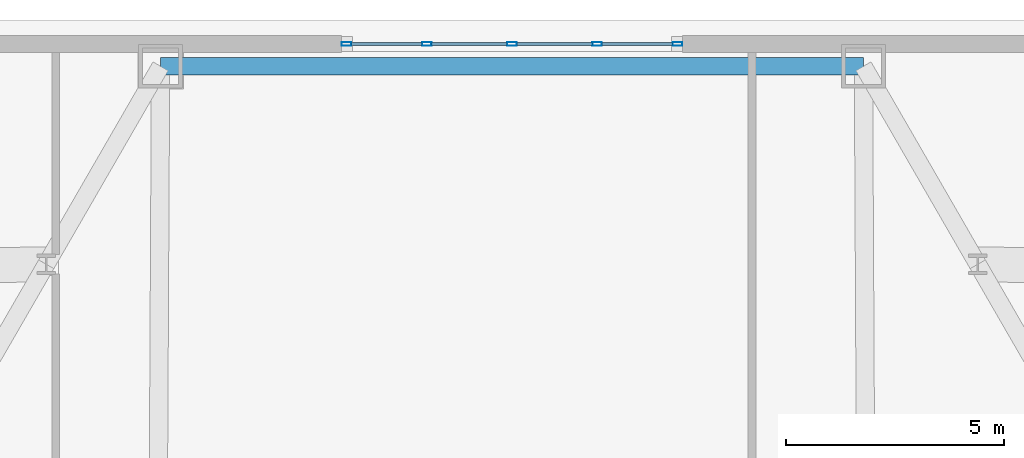
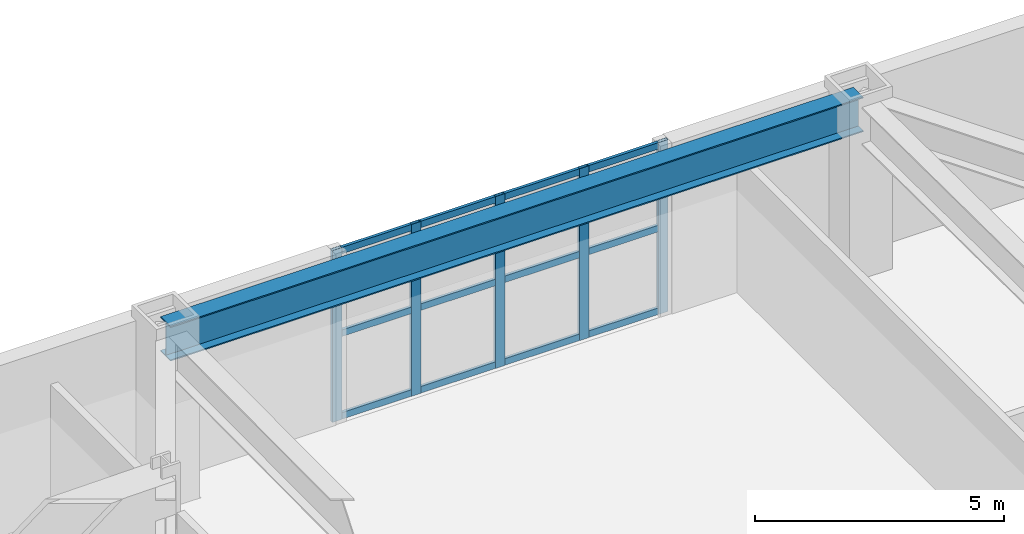
# One storey, part 10 of 21: 17 members, 1 beam, 1 element without a shape of its own.
"""IFC4 building model written with IfcOpenShell, lengths in metres."""

from ifc_helpers import new_model, si_unit, direction, frame, origin, origin_2d, place, context, subcontext, project, spatial, hollow_rectangle, i_section, extrude, material, layer, layer_set, material_profile, profile_set, type_object, element, aggregate, save


model = new_model("IFC4")

# Units and contexts
model_context = context("Model", 3, precision=1e-05, world=origin(), true_north=direction((0.0, 1.0)))
body_context = subcontext(model_context, "Body", "Model", "MODEL_VIEW")
ifc_project = project(units=[si_unit("LENGTHUNIT", "METRE"), si_unit("AREAUNIT", "SQUARE_METRE"), si_unit("VOLUMEUNIT", "CUBIC_METRE"), si_unit("PLANEANGLEUNIT", "RADIAN"), si_unit("MASSUNIT", "GRAM", prefix="KILO")], contexts=[model_context])

# Site, building, storey
site_placement = place(None, origin())
site = spatial("IfcSite", under=ifc_project, at=site_placement, CompositionType="ELEMENT")
building_placement = place(site_placement, origin())
building = spatial("IfcBuilding", under=site, at=building_placement, Name="Oramaril Tower", CompositionType="ELEMENT")
storey_placement = place(building_placement, frame((0.0, 0.0, 5.39990234375)))
storey = spatial("IfcBuildingStorey", under=building, at=storey_placement, Name="L01", CompositionType="ELEMENT", Elevation=5.39990234375)

# Beam
ifc_material_1 = material(Name="Steel ASTM A572 Gr 50", Category="steel")
ifc_material_profile_1 = material_profile(ifc_material_1, i_section(OverallWidth=0.40087890625, OverallDepth=0.85595703125, WebThickness=0.018310546875, FlangeThickness=0.029296875, at=origin_2d()), Name="W33X201")
ifc_profile_set_1 = profile_set([ifc_material_profile_1], Name="Steel ASTM A572 Gr 50")
beam_type = type_object("IfcBeamType", Name="BT-SP1", PredefinedType="SPANDREL", material=ifc_profile_set_1)
beam_placement = place(storey_placement, frame((45.548095703125, 43.639892578125, 3.7919921875), z_axis=(-1.0, 0.0, 0.0), x_axis=(0.0, -1.0, 0.0)))
element("IfcBeam", 1, at=beam_placement, inside=storey, type_object=beam_type, Name="L01 Perimeter Spandrel 13", PredefinedType="SPANDREL", context=body_context, shape_type="SweptSolid", body=[
    extrude(i_section(OverallWidth=0.40087890625, OverallDepth=0.85595703125, WebThickness=0.018310546875, FlangeThickness=0.029296875, at=origin_2d()), origin(), (0.0, 0.0, 1.0), 16.09619140625),
])

# Curtain wall, members
ifc_material_2 = material(Name="Anodised Aluminium 6063-T6", Category="aluminium")
ifc_layer = layer(ifc_material_2, 0.219970703125)
ifc_layer_set = layer_set([ifc_layer], Name="CWT-SYS1")
curtain_wall_type = type_object("IfcCurtainWallType", Name="CWT-SYS1", PredefinedType="NOTDEFINED", material=ifc_layer_set)
curtain_wall_placement = place(storey_placement, origin())
curtain_wall = element("IfcCurtainWall", 2, at=curtain_wall_placement, inside=storey, type_object=curtain_wall_type, Name="L01 Unitised Curtain Wall CW-1", PredefinedType="NOTDEFINED")
ifc_material_3 = material(Name="Anodised Aluminium 6063-T6", Category="aluminium")
ifc_material_profile_2 = material_profile(ifc_material_3, hollow_rectangle(XDim=0.080078125, YDim=0.219970703125, WallThickness=0.00390625, at=origin_2d()), Name="CWM220X80")
ifc_profile_set_2 = profile_set([ifc_material_profile_2], Name="Anodised Aluminium 6063-T6")
member_type_1 = type_object("IfcMemberType", Name="MT-CWM1", PredefinedType="MULLION", material=ifc_profile_set_2)
member_1_placement = place(storey_placement, frame((41.2900390625, 44.14990234375, 0.0), z_axis=(0.0, 0.0, 1.0), x_axis=(0.0, -1.0, 0.0)))
member_1 = element("IfcMember", 3, at=member_1_placement, type_object=member_type_1, Name="CW-1 mullion 1", PredefinedType="MULLION", context=body_context, shape_type="SweptSolid", body=[
    extrude(hollow_rectangle(XDim=0.080078125, YDim=0.219970703125, WallThickness=0.00390625, at=origin_2d()), origin(), (0.0, 0.0, 1.0), 4.22021484375),
])
member_2_placement = place(storey_placement, frame((39.449951171875, 44.14990234375, 0.0), z_axis=(0.0, 0.0, 1.0), x_axis=(0.0, -1.0, 0.0)))
member_2 = element("IfcMember", 4, at=member_2_placement, type_object=member_type_1, Name="CW-1 mullion 2", PredefinedType="MULLION", context=body_context, shape_type="SweptSolid", body=[
    extrude(hollow_rectangle(XDim=0.080078125, YDim=0.219970703125, WallThickness=0.00390625, at=origin_2d()), origin(), (0.0, 0.0, 1.0), 4.22021484375),
])
member_3_placement = place(storey_placement, frame((37.5, 44.14990234375, 0.0), z_axis=(0.0, 0.0, 1.0), x_axis=(0.0, -1.0, 0.0)))
member_3 = element("IfcMember", 5, at=member_3_placement, type_object=member_type_1, Name="CW-1 mullion 3", PredefinedType="MULLION", context=body_context, shape_type="SweptSolid", body=[
    extrude(hollow_rectangle(XDim=0.080078125, YDim=0.219970703125, WallThickness=0.00390625, at=origin_2d()), origin(), (0.0, 0.0, 1.0), 4.22021484375),
])
member_4_placement = place(storey_placement, frame((35.550048828125, 44.14990234375, 0.0), z_axis=(0.0, 0.0, 1.0), x_axis=(0.0, -1.0, 0.0)))
member_4 = element("IfcMember", 6, at=member_4_placement, type_object=member_type_1, Name="CW-1 mullion 4", PredefinedType="MULLION", context=body_context, shape_type="SweptSolid", body=[
    extrude(hollow_rectangle(XDim=0.080078125, YDim=0.219970703125, WallThickness=0.00390625, at=origin_2d()), origin(), (0.0, 0.0, 1.0), 4.22021484375),
])
member_5_placement = place(storey_placement, frame((33.7099609375, 44.14990234375, 0.0), z_axis=(0.0, 0.0, 1.0), x_axis=(0.0, -1.0, 0.0)))
member_5 = element("IfcMember", 7, at=member_5_placement, type_object=member_type_1, Name="CW-1 mullion 5", PredefinedType="MULLION", context=body_context, shape_type="SweptSolid", body=[
    extrude(hollow_rectangle(XDim=0.080078125, YDim=0.219970703125, WallThickness=0.00390625, at=origin_2d()), origin(), (0.0, 0.0, 1.0), 4.22021484375),
])
ifc_material_4 = material(Name="Anodised Aluminium 6063-T6", Category="aluminium")
ifc_material_profile_3 = material_profile(ifc_material_4, hollow_rectangle(XDim=0.070068359375, YDim=0.159912109375, WallThickness=0.00390625, at=origin_2d()), Name="CWT160X70")
ifc_profile_set_3 = profile_set([ifc_material_profile_3], Name="Anodised Aluminium 6063-T6")
member_type_2 = type_object("IfcMemberType", Name="MT-CWT1", PredefinedType="USERDEFINED", material=ifc_profile_set_3)
member_6_placement = place(storey_placement, frame((41.179931640625, 44.14990234375, 0.080078125), z_axis=(-1.0, 0.0, 0.0), x_axis=(0.0, -1.0, 0.0)))
member_6 = element("IfcMember", 8, at=member_6_placement, type_object=member_type_2, Name="CW-1 transom 1.1", ObjectType="TRANSOM", PredefinedType="USERDEFINED", context=body_context, shape_type="SweptSolid", body=[
    extrude(hollow_rectangle(XDim=0.070068359375, YDim=0.159912109375, WallThickness=0.00390625, at=origin_2d()), origin(), (0.0, 0.0, 1.0), 1.619873046875),
])
member_7_placement = place(storey_placement, frame((41.179931640625, 44.14990234375, 2.110107421875), z_axis=(-1.0, 0.0, 0.0), x_axis=(0.0, -1.0, 0.0)))
member_7 = element("IfcMember", 9, at=member_7_placement, type_object=member_type_2, Name="CW-1 transom 1.2", ObjectType="TRANSOM", PredefinedType="USERDEFINED", context=body_context, shape_type="SweptSolid", body=[
    extrude(hollow_rectangle(XDim=0.070068359375, YDim=0.159912109375, WallThickness=0.00390625, at=origin_2d()), origin(), (0.0, 0.0, 1.0), 1.619873046875),
])
member_8_placement = place(storey_placement, frame((41.179931640625, 44.14990234375, 4.14013671875), z_axis=(-1.0, 0.0, 0.0), x_axis=(0.0, -1.0, 0.0)))
member_8 = element("IfcMember", 10, at=member_8_placement, type_object=member_type_2, Name="CW-1 transom 1.3", ObjectType="TRANSOM", PredefinedType="USERDEFINED", context=body_context, shape_type="SweptSolid", body=[
    extrude(hollow_rectangle(XDim=0.070068359375, YDim=0.159912109375, WallThickness=0.00390625, at=origin_2d()), origin(), (0.0, 0.0, 1.0), 1.619873046875),
])
member_9_placement = place(storey_placement, frame((39.340087890625, 44.14990234375, 0.080078125), z_axis=(-1.0, 0.0, 0.0), x_axis=(0.0, -1.0, 0.0)))
member_9 = element("IfcMember", 11, at=member_9_placement, type_object=member_type_2, Name="CW-1 transom 2.1", ObjectType="TRANSOM", PredefinedType="USERDEFINED", context=body_context, shape_type="SweptSolid", body=[
    extrude(hollow_rectangle(XDim=0.070068359375, YDim=0.159912109375, WallThickness=0.00390625, at=origin_2d()), origin(), (0.0, 0.0, 1.0), 1.72998046875),
])
member_10_placement = place(storey_placement, frame((39.340087890625, 44.14990234375, 2.110107421875), z_axis=(-1.0, 0.0, 0.0), x_axis=(0.0, -1.0, 0.0)))
member_10 = element("IfcMember", 12, at=member_10_placement, type_object=member_type_2, Name="CW-1 transom 2.2", ObjectType="TRANSOM", PredefinedType="USERDEFINED", context=body_context, shape_type="SweptSolid", body=[
    extrude(hollow_rectangle(XDim=0.070068359375, YDim=0.159912109375, WallThickness=0.00390625, at=origin_2d()), origin(), (0.0, 0.0, 1.0), 1.72998046875),
])
member_11_placement = place(storey_placement, frame((39.340087890625, 44.14990234375, 4.14013671875), z_axis=(-1.0, 0.0, 0.0), x_axis=(0.0, -1.0, 0.0)))
member_11 = element("IfcMember", 13, at=member_11_placement, type_object=member_type_2, Name="CW-1 transom 2.3", ObjectType="TRANSOM", PredefinedType="USERDEFINED", context=body_context, shape_type="SweptSolid", body=[
    extrude(hollow_rectangle(XDim=0.070068359375, YDim=0.159912109375, WallThickness=0.00390625, at=origin_2d()), origin(), (0.0, 0.0, 1.0), 1.72998046875),
])
member_12_placement = place(storey_placement, frame((37.389892578125, 44.14990234375, 0.080078125), z_axis=(-1.0, 0.0, 0.0), x_axis=(0.0, -1.0, 0.0)))
member_12 = element("IfcMember", 14, at=member_12_placement, type_object=member_type_2, Name="CW-1 transom 3.1", ObjectType="TRANSOM", PredefinedType="USERDEFINED", context=body_context, shape_type="SweptSolid", body=[
    extrude(hollow_rectangle(XDim=0.070068359375, YDim=0.159912109375, WallThickness=0.00390625, at=origin_2d()), origin(), (0.0, 0.0, 1.0), 1.72998046875),
])
member_13_placement = place(storey_placement, frame((37.389892578125, 44.14990234375, 2.110107421875), z_axis=(-1.0, 0.0, 0.0), x_axis=(0.0, -1.0, 0.0)))
member_13 = element("IfcMember", 15, at=member_13_placement, type_object=member_type_2, Name="CW-1 transom 3.2", ObjectType="TRANSOM", PredefinedType="USERDEFINED", context=body_context, shape_type="SweptSolid", body=[
    extrude(hollow_rectangle(XDim=0.070068359375, YDim=0.159912109375, WallThickness=0.00390625, at=origin_2d()), origin(), (0.0, 0.0, 1.0), 1.72998046875),
])
member_14_placement = place(storey_placement, frame((37.389892578125, 44.14990234375, 4.14013671875), z_axis=(-1.0, 0.0, 0.0), x_axis=(0.0, -1.0, 0.0)))
member_14 = element("IfcMember", 16, at=member_14_placement, type_object=member_type_2, Name="CW-1 transom 3.3", ObjectType="TRANSOM", PredefinedType="USERDEFINED", context=body_context, shape_type="SweptSolid", body=[
    extrude(hollow_rectangle(XDim=0.070068359375, YDim=0.159912109375, WallThickness=0.00390625, at=origin_2d()), origin(), (0.0, 0.0, 1.0), 1.72998046875),
])
member_15_placement = place(storey_placement, frame((35.43994140625, 44.14990234375, 0.080078125), z_axis=(-1.0, 0.0, 0.0), x_axis=(0.0, -1.0, 0.0)))
member_15 = element("IfcMember", 17, at=member_15_placement, type_object=member_type_2, Name="CW-1 transom 4.1", ObjectType="TRANSOM", PredefinedType="USERDEFINED", context=body_context, shape_type="SweptSolid", body=[
    extrude(hollow_rectangle(XDim=0.070068359375, YDim=0.159912109375, WallThickness=0.00390625, at=origin_2d()), origin(), (0.0, 0.0, 1.0), 1.619873046875),
])
member_16_placement = place(storey_placement, frame((35.43994140625, 44.14990234375, 2.110107421875), z_axis=(-1.0, 0.0, 0.0), x_axis=(0.0, -1.0, 0.0)))
member_16 = element("IfcMember", 18, at=member_16_placement, type_object=member_type_2, Name="CW-1 transom 4.2", ObjectType="TRANSOM", PredefinedType="USERDEFINED", context=body_context, shape_type="SweptSolid", body=[
    extrude(hollow_rectangle(XDim=0.070068359375, YDim=0.159912109375, WallThickness=0.00390625, at=origin_2d()), origin(), (0.0, 0.0, 1.0), 1.619873046875),
])
member_17_placement = place(storey_placement, frame((35.43994140625, 44.14990234375, 4.14013671875), z_axis=(-1.0, 0.0, 0.0), x_axis=(0.0, -1.0, 0.0)))
member_17 = element("IfcMember", 19, at=member_17_placement, type_object=member_type_2, Name="CW-1 transom 4.3", ObjectType="TRANSOM", PredefinedType="USERDEFINED", context=body_context, shape_type="SweptSolid", body=[
    extrude(hollow_rectangle(XDim=0.070068359375, YDim=0.159912109375, WallThickness=0.00390625, at=origin_2d()), origin(), (0.0, 0.0, 1.0), 1.619873046875),
])
aggregate(curtain_wall, [member_1, member_2, member_3, member_4, member_5, member_6, member_7, member_8, member_9, member_10, member_11, member_12, member_13, member_14, member_15, member_16, member_17])

save(model, "model.ifc")
